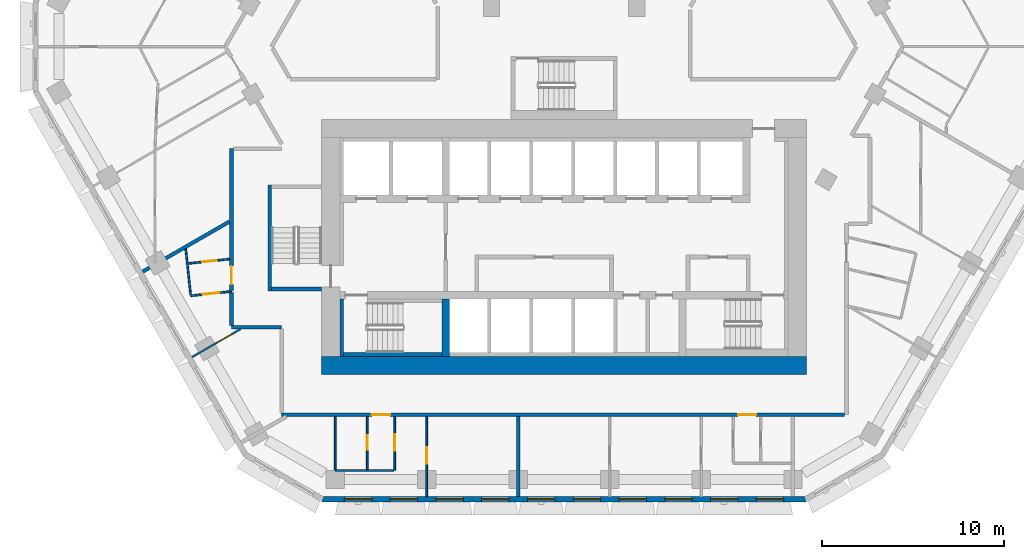
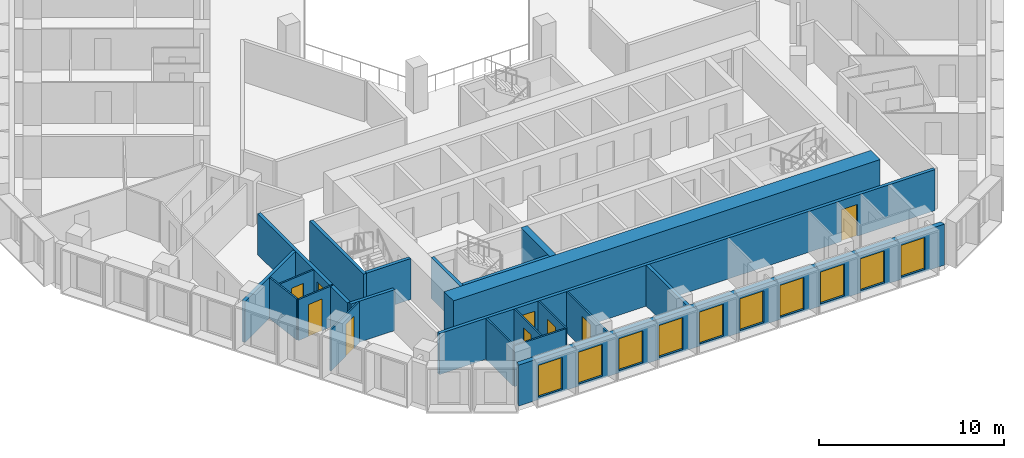
# One storey, part 3 of 18: 22 walls, 10 windows, 9 doors, 19 openings.
"""IFC4 building model written with IfcOpenShell, lengths in metres."""

from ifc_helpers import new_model, si_unit, direction, frame, frame_2d, origin, place, context, subcontext, project, spatial, polyline, rectangle, outline, extrude, material, layer, layer_set, type_object, element, fill, save


model = new_model("IFC4")

# Units and contexts
model_context = context("Model", 3, precision=1e-05, world=origin(), true_north=direction((0.0, 1.0)))
body_context = subcontext(model_context, "Body", "Model", "MODEL_VIEW")
ifc_project = project(units=[si_unit("LENGTHUNIT", "METRE"), si_unit("AREAUNIT", "SQUARE_METRE"), si_unit("VOLUMEUNIT", "CUBIC_METRE"), si_unit("PLANEANGLEUNIT", "RADIAN"), si_unit("MASSUNIT", "GRAM", prefix="KILO")], contexts=[model_context])

# Site, building, storey
site_placement = place(None, origin())
site = spatial("IfcSite", under=ifc_project, at=site_placement, CompositionType="ELEMENT")
building_placement = place(site_placement, origin())
building = spatial("IfcBuilding", under=site, at=building_placement, Name="Beryl Residences", CompositionType="ELEMENT")
storey_placement = place(building_placement, frame((0.0, 0.0, 87.0)))
storey = spatial("IfcBuildingStorey", under=building, at=storey_placement, Name="L26", CompositionType="ELEMENT", Elevation=87.0)

# Wall, openings, windows
ifc_material_1 = material(Name="Composite metal panel with mineral wool insulation")
ifc_layer_1 = layer(ifc_material_1, 0.300048828125)
ifc_layer_set_1 = layer_set([ifc_layer_1], Name="ES1 pale metal composite panel wall 300 mm")
wall_type_1 = type_object("IfcWallType", Name="ES1 pale metal composite panel wall 300 mm", PredefinedType="SOLIDWALL", material=ifc_layer_set_1)
wall_1_placement = place(storey_placement, frame((-13.279052734375, -25.85009765625, 0.0), z_axis=(0.0, 0.0, 1.0), x_axis=(1.0, 0.0, 0.0)))
wall_1 = element("IfcWall", 1, at=wall_1_placement, inside=storey, type_object=wall_type_1, Name="ES1 external wall L26 S", PredefinedType="SOLIDWALL", context=body_context, shape_type="SweptSolid", body=[
    extrude(outline(polyline([(0.0, -0.14990234375), (26.55810546875, -0.14990234375), (26.477783203125, 0.14990234375), (0.080322265625, 0.14990234375), (0.0, -0.14990234375)])), origin(), (0.0, 0.0, 1.0), 2.699951171875),
])
opening_1_placement = place(wall_1_placement, frame((1.22802734375, 0.0, 0.14990234375)))
opening_1 = element("IfcOpeningElement", 2, at=opening_1_placement, cuts=wall_1, Name="Opening W1", PredefinedType="OPENING", context=body_context, shape_type="SweptSolid", body=[
    extrude(rectangle(XDim=1.5, YDim=2.10009765625, at=frame_2d((0.75, 1.050048828125))), frame((0.0, 0.159912109375, 0.0), z_axis=(0.0, -1.0, 0.0), x_axis=(1.0, 0.0, 0.0)), (0.0, 0.0, 1.0), 0.320068359375),
])
opening_2_placement = place(wall_1_placement, frame((3.739013671875, 0.0, 0.14990234375)))
opening_2 = element("IfcOpeningElement", 3, at=opening_2_placement, cuts=wall_1, Name="Opening W1", PredefinedType="OPENING", context=body_context, shape_type="SweptSolid", body=[
    extrude(rectangle(XDim=1.5, YDim=2.10009765625, at=frame_2d((0.75, 1.050048828125))), frame((0.0, 0.159912109375, 0.0), z_axis=(0.0, -1.0, 0.0), x_axis=(1.0, 0.0, 0.0)), (0.0, 0.0, 1.0), 0.320068359375),
])
opening_3_placement = place(wall_1_placement, frame((6.2509765625, 0.0, 0.14990234375)))
opening_3 = element("IfcOpeningElement", 4, at=opening_3_placement, cuts=wall_1, Name="Opening W1", PredefinedType="OPENING", context=body_context, shape_type="SweptSolid", body=[
    extrude(rectangle(XDim=1.5, YDim=2.10009765625, at=frame_2d((0.75, 1.050048828125))), frame((0.0, 0.159912109375, 0.0), z_axis=(0.0, -1.0, 0.0), x_axis=(1.0, 0.0, 0.0)), (0.0, 0.0, 1.0), 0.320068359375),
])
opening_4_placement = place(wall_1_placement, frame((8.761962890625, 0.0, 0.14990234375)))
opening_4 = element("IfcOpeningElement", 5, at=opening_4_placement, cuts=wall_1, Name="Opening W1", PredefinedType="OPENING", context=body_context, shape_type="SweptSolid", body=[
    extrude(rectangle(XDim=1.5, YDim=2.10009765625, at=frame_2d((0.75, 1.050048828125))), frame((0.0, 0.159912109375, 0.0), z_axis=(0.0, -1.0, 0.0), x_axis=(1.0, 0.0, 0.0)), (0.0, 0.0, 1.0), 0.320068359375),
])
opening_5_placement = place(wall_1_placement, frame((11.27392578125, 0.0, 0.14990234375)))
opening_5 = element("IfcOpeningElement", 6, at=opening_5_placement, cuts=wall_1, Name="Opening W1", PredefinedType="OPENING", context=body_context, shape_type="SweptSolid", body=[
    extrude(rectangle(XDim=1.5, YDim=2.10009765625, at=frame_2d((0.75, 1.050048828125))), frame((0.0, 0.159912109375, 0.0), z_axis=(0.0, -1.0, 0.0), x_axis=(1.0, 0.0, 0.0)), (0.0, 0.0, 1.0), 0.320068359375),
])
opening_6_placement = place(wall_1_placement, frame((13.784912109375, 0.0, 0.14990234375)))
opening_6 = element("IfcOpeningElement", 7, at=opening_6_placement, cuts=wall_1, Name="Opening W1", PredefinedType="OPENING", context=body_context, shape_type="SweptSolid", body=[
    extrude(rectangle(XDim=1.5, YDim=2.10009765625, at=frame_2d((0.75, 1.050048828125))), frame((0.0, 0.159912109375, 0.0), z_axis=(0.0, -1.0, 0.0), x_axis=(1.0, 0.0, 0.0)), (0.0, 0.0, 1.0), 0.320068359375),
])
opening_7_placement = place(wall_1_placement, frame((16.297119140625, 0.0, 0.14990234375)))
opening_7 = element("IfcOpeningElement", 8, at=opening_7_placement, cuts=wall_1, Name="Opening W1", PredefinedType="OPENING", context=body_context, shape_type="SweptSolid", body=[
    extrude(rectangle(XDim=1.5, YDim=2.10009765625, at=frame_2d((0.75, 1.050048828125))), frame((0.0, 0.159912109375, 0.0), z_axis=(0.0, -1.0, 0.0), x_axis=(1.0, 0.0, 0.0)), (0.0, 0.0, 1.0), 0.320068359375),
])
opening_8_placement = place(wall_1_placement, frame((18.80810546875, 0.0, 0.14990234375)))
opening_8 = element("IfcOpeningElement", 9, at=opening_8_placement, cuts=wall_1, Name="Opening W1", PredefinedType="OPENING", context=body_context, shape_type="SweptSolid", body=[
    extrude(rectangle(XDim=1.5, YDim=2.10009765625, at=frame_2d((0.75, 1.050048828125))), frame((0.0, 0.159912109375, 0.0), z_axis=(0.0, -1.0, 0.0), x_axis=(1.0, 0.0, 0.0)), (0.0, 0.0, 1.0), 0.320068359375),
])
opening_9_placement = place(wall_1_placement, frame((21.320068359375, 0.0, 0.14990234375)))
opening_9 = element("IfcOpeningElement", 10, at=opening_9_placement, cuts=wall_1, Name="Opening W1", PredefinedType="OPENING", context=body_context, shape_type="SweptSolid", body=[
    extrude(rectangle(XDim=1.5, YDim=2.10009765625, at=frame_2d((0.75, 1.050048828125))), frame((0.0, 0.159912109375, 0.0), z_axis=(0.0, -1.0, 0.0), x_axis=(1.0, 0.0, 0.0)), (0.0, 0.0, 1.0), 0.320068359375),
])
opening_10_placement = place(wall_1_placement, frame((23.8310546875, 0.0, 0.14990234375)))
opening_10 = element("IfcOpeningElement", 11, at=opening_10_placement, cuts=wall_1, Name="Opening W1", PredefinedType="OPENING", context=body_context, shape_type="SweptSolid", body=[
    extrude(rectangle(XDim=1.5, YDim=2.10009765625, at=frame_2d((0.75, 1.050048828125))), frame((0.0, 0.159912109375, 0.0), z_axis=(0.0, -1.0, 0.0), x_axis=(1.0, 0.0, 0.0)), (0.0, 0.0, 1.0), 0.320068359375),
])
ifc_material_2 = material(Name="Aluminium and clear glass", Category="aluminium")
window_type = type_object("IfcWindowType", Name="W1 cell window 1500 x 2100 mm", PartitioningType="SINGLE_PANEL", PredefinedType="WINDOW", material=ifc_material_2)
window_1_placement = place(opening_1_placement, origin())
window_1 = element("IfcWindow", 12, at=window_1_placement, inside=storey, type_object=window_type, Name="W1 window L26 S 1", OverallHeight=2.10009765625, OverallWidth=1.5, PartitioningType="SINGLE_PANEL", PredefinedType="WINDOW", context=body_context, shape_type="SweptSolid", body=[
    extrude(rectangle(XDim=1.5, YDim=2.10009765625, at=frame_2d((0.75, 1.050048828125))), frame((0.0, 0.030029296875, 0.0), z_axis=(0.0, -1.0, 0.0), x_axis=(1.0, 0.0, 0.0)), (0.0, 0.0, 1.0), 0.06005859375),
])
fill(opening_1, window_1)
window_2_placement = place(opening_2_placement, origin())
window_2 = element("IfcWindow", 13, at=window_2_placement, inside=storey, type_object=window_type, Name="W1 window L26 S 2", OverallHeight=2.10009765625, OverallWidth=1.5, PartitioningType="SINGLE_PANEL", PredefinedType="WINDOW", context=body_context, shape_type="SweptSolid", body=[
    extrude(rectangle(XDim=1.5, YDim=2.10009765625, at=frame_2d((0.75, 1.050048828125))), frame((0.0, 0.030029296875, 0.0), z_axis=(0.0, -1.0, 0.0), x_axis=(1.0, 0.0, 0.0)), (0.0, 0.0, 1.0), 0.06005859375),
])
fill(opening_2, window_2)
window_3_placement = place(opening_3_placement, origin())
window_3 = element("IfcWindow", 14, at=window_3_placement, inside=storey, type_object=window_type, Name="W1 window L26 S 3", OverallHeight=2.10009765625, OverallWidth=1.5, PartitioningType="SINGLE_PANEL", PredefinedType="WINDOW", context=body_context, shape_type="SweptSolid", body=[
    extrude(rectangle(XDim=1.5, YDim=2.10009765625, at=frame_2d((0.75, 1.050048828125))), frame((0.0, 0.030029296875, 0.0), z_axis=(0.0, -1.0, 0.0), x_axis=(1.0, 0.0, 0.0)), (0.0, 0.0, 1.0), 0.06005859375),
])
fill(opening_3, window_3)
window_4_placement = place(opening_4_placement, origin())
window_4 = element("IfcWindow", 15, at=window_4_placement, inside=storey, type_object=window_type, Name="W1 window L26 S 4", OverallHeight=2.10009765625, OverallWidth=1.5, PartitioningType="SINGLE_PANEL", PredefinedType="WINDOW", context=body_context, shape_type="SweptSolid", body=[
    extrude(rectangle(XDim=1.5, YDim=2.10009765625, at=frame_2d((0.75, 1.050048828125))), frame((0.0, 0.030029296875, 0.0), z_axis=(0.0, -1.0, 0.0), x_axis=(1.0, 0.0, 0.0)), (0.0, 0.0, 1.0), 0.06005859375),
])
fill(opening_4, window_4)
window_5_placement = place(opening_5_placement, origin())
window_5 = element("IfcWindow", 16, at=window_5_placement, inside=storey, type_object=window_type, Name="W1 window L26 S 5", OverallHeight=2.10009765625, OverallWidth=1.5, PartitioningType="SINGLE_PANEL", PredefinedType="WINDOW", context=body_context, shape_type="SweptSolid", body=[
    extrude(rectangle(XDim=1.5, YDim=2.10009765625, at=frame_2d((0.75, 1.050048828125))), frame((0.0, 0.030029296875, 0.0), z_axis=(0.0, -1.0, 0.0), x_axis=(1.0, 0.0, 0.0)), (0.0, 0.0, 1.0), 0.06005859375),
])
fill(opening_5, window_5)
window_6_placement = place(opening_6_placement, origin())
window_6 = element("IfcWindow", 17, at=window_6_placement, inside=storey, type_object=window_type, Name="W1 window L26 S 6", OverallHeight=2.10009765625, OverallWidth=1.5, PartitioningType="SINGLE_PANEL", PredefinedType="WINDOW", context=body_context, shape_type="SweptSolid", body=[
    extrude(rectangle(XDim=1.5, YDim=2.10009765625, at=frame_2d((0.75, 1.050048828125))), frame((0.0, 0.030029296875, 0.0), z_axis=(0.0, -1.0, 0.0), x_axis=(1.0, 0.0, 0.0)), (0.0, 0.0, 1.0), 0.06005859375),
])
fill(opening_6, window_6)
window_7_placement = place(opening_7_placement, origin())
window_7 = element("IfcWindow", 18, at=window_7_placement, inside=storey, type_object=window_type, Name="W1 window L26 S 7", OverallHeight=2.10009765625, OverallWidth=1.5, PartitioningType="SINGLE_PANEL", PredefinedType="WINDOW", context=body_context, shape_type="SweptSolid", body=[
    extrude(rectangle(XDim=1.5, YDim=2.10009765625, at=frame_2d((0.75, 1.050048828125))), frame((0.0, 0.030029296875, 0.0), z_axis=(0.0, -1.0, 0.0), x_axis=(1.0, 0.0, 0.0)), (0.0, 0.0, 1.0), 0.06005859375),
])
fill(opening_7, window_7)
window_8_placement = place(opening_8_placement, origin())
window_8 = element("IfcWindow", 19, at=window_8_placement, inside=storey, type_object=window_type, Name="W1 window L26 S 8", OverallHeight=2.10009765625, OverallWidth=1.5, PartitioningType="SINGLE_PANEL", PredefinedType="WINDOW", context=body_context, shape_type="SweptSolid", body=[
    extrude(rectangle(XDim=1.5, YDim=2.10009765625, at=frame_2d((0.75, 1.050048828125))), frame((0.0, 0.030029296875, 0.0), z_axis=(0.0, -1.0, 0.0), x_axis=(1.0, 0.0, 0.0)), (0.0, 0.0, 1.0), 0.06005859375),
])
fill(opening_8, window_8)
window_9_placement = place(opening_9_placement, origin())
window_9 = element("IfcWindow", 20, at=window_9_placement, inside=storey, type_object=window_type, Name="W1 window L26 S 9", OverallHeight=2.10009765625, OverallWidth=1.5, PartitioningType="SINGLE_PANEL", PredefinedType="WINDOW", context=body_context, shape_type="SweptSolid", body=[
    extrude(rectangle(XDim=1.5, YDim=2.10009765625, at=frame_2d((0.75, 1.050048828125))), frame((0.0, 0.030029296875, 0.0), z_axis=(0.0, -1.0, 0.0), x_axis=(1.0, 0.0, 0.0)), (0.0, 0.0, 1.0), 0.06005859375),
])
fill(opening_9, window_9)
window_10_placement = place(opening_10_placement, origin())
window_10 = element("IfcWindow", 21, at=window_10_placement, inside=storey, type_object=window_type, Name="W1 window L26 S 10", OverallHeight=2.10009765625, OverallWidth=1.5, PartitioningType="SINGLE_PANEL", PredefinedType="WINDOW", context=body_context, shape_type="SweptSolid", body=[
    extrude(rectangle(XDim=1.5, YDim=2.10009765625, at=frame_2d((0.75, 1.050048828125))), frame((0.0, 0.030029296875, 0.0), z_axis=(0.0, -1.0, 0.0), x_axis=(1.0, 0.0, 0.0)), (0.0, 0.0, 1.0), 0.06005859375),
])
fill(opening_10, window_10)

# Wall
ifc_material_3 = material(Name="Gypsum board partition on steel studs", Category="steel")
ifc_layer_2 = layer(ifc_material_3, 0.10009765625)
ifc_layer_set_2 = layer_set([ifc_layer_2], Name="PT1 partition 100 mm gypsum board on steel studs")
wall_type_2 = type_object("IfcWallType", Name="PT1 partition 100 mm gypsum board on steel studs", PredefinedType="PARTITIONING", material=ifc_layer_set_2)
wall_2_placement = place(storey_placement, frame((-20.761962890625, -12.10205078125, 0.0), z_axis=(0.0, 0.0, 1.0), x_axis=(0.106118300401, -0.994353511745, 0.0)))
element("IfcWall", 22, at=wall_2_placement, inside=storey, type_object=wall_type_2, Name="Wall PT1 L26 010", PredefinedType="PARTITIONING", context=body_context, shape_type="SweptSolid", body=[
    extrude(rectangle(XDim=2.535400390625, YDim=0.10009765625, at=frame_2d((1.267578125, 0.0))), origin(), (0.0, 0.0, 1.0), 2.699951171875),
])

# Wall, opening, door
wall_3_placement = place(storey_placement, frame((-7.533935546875, -21.300048828125, 0.0), z_axis=(0.0, 0.0, 1.0), x_axis=(0.0, -1.0, 0.0)))
wall_3 = element("IfcWall", 23, at=wall_3_placement, inside=storey, type_object=wall_type_2, Name="Wall PT1 L26 014", PredefinedType="PARTITIONING", context=body_context, shape_type="SweptSolid", body=[
    extrude(rectangle(XDim=4.39990234375, YDim=0.10009765625, at=frame_2d((2.199951171875, 0.0))), origin(), (0.0, 0.0, 1.0), 2.699951171875),
])
opening_11_placement = place(wall_3_placement, frame((1.699951171875, 0.0, 0.0)))
opening_11 = element("IfcOpeningElement", 24, at=opening_11_placement, cuts=wall_3, Name="Opening D0632", PredefinedType="OPENING", context=body_context, shape_type="SweptSolid", body=[
    extrude(rectangle(XDim=0.89990234375, YDim=2.10009765625, at=frame_2d((0.449951171875, 1.050048828125))), frame((0.0, 0.06005859375, 0.0), z_axis=(0.0, -1.0, 0.0), x_axis=(1.0, 0.0, 0.0)), (0.0, 0.0, 1.0), 0.1201171875),
])
ifc_material_4 = material(Name="Timber door leaf", Category="wood")
door_type_1 = type_object("IfcDoorType", Name="D2 room door 900 x 2100 mm", OperationType="SINGLE_SWING_LEFT", PredefinedType="DOOR", material=ifc_material_4)
door_1_placement = place(opening_11_placement, origin())
door_1 = element("IfcDoor", 25, at=door_1_placement, inside=storey, type_object=door_type_1, Name="Door D0632 L26 001", OperationType="SINGLE_SWING_RIGHT", OverallHeight=2.10009765625, OverallWidth=0.89990234375, PredefinedType="DOOR", context=body_context, shape_type="SweptSolid", body=[
    extrude(rectangle(XDim=0.89990234375, YDim=2.10009765625, at=frame_2d((0.449951171875, 1.050048828125))), frame((0.0, 0.02490234375, 0.0), z_axis=(0.0, -1.0, 0.0), x_axis=(1.0, 0.0, 0.0)), (0.0, 0.0, 1.0), 0.050048828125),
])
fill(opening_11, door_1)

# Walls
wall_4_placement = place(storey_placement, frame((-12.556884765625, -21.300048828125, 0.0), z_axis=(0.0, 0.0, 1.0), x_axis=(0.0, -1.0, 0.0)))
element("IfcWall", 26, at=wall_4_placement, inside=storey, type_object=wall_type_2, Name="Wall PT1 L26 015", PredefinedType="PARTITIONING", context=body_context, shape_type="SweptSolid", body=[
    extrude(rectangle(XDim=2.908935546875, YDim=0.10009765625, at=frame_2d((1.45458984375, 0.0))), origin(), (0.0, 0.0, 1.0), 2.699951171875),
])
wall_5_placement = place(storey_placement, frame((-12.555908203125, -24.260009765625, 0.0), z_axis=(0.0, 0.0, 1.0), x_axis=(1.0, 0.0, 0.0)))
element("IfcWall", 27, at=wall_5_placement, inside=storey, type_object=wall_type_2, Name="Wall PT1 L26 035", PredefinedType="PARTITIONING", context=body_context, shape_type="SweptSolid", body=[
    extrude(rectangle(XDim=3.212890625, YDim=0.10009765625, at=frame_2d((1.6064453125, 0.0))), origin(), (0.0, 0.0, 1.0), 2.699951171875),
])

# Wall, opening, door
wall_6_placement = place(storey_placement, frame((-20.6259765625, -12.902099609375, 0.0), z_axis=(0.0, 0.0, 1.0), x_axis=(0.994385570266, 0.105817473257, 0.0)))
wall_6 = element("IfcWall", 28, at=wall_6_placement, inside=storey, type_object=wall_type_2, Name="Wall PT1 L26 038", PredefinedType="PARTITIONING", context=body_context, shape_type="SweptSolid", body=[
    extrude(rectangle(XDim=2.288818359375, YDim=0.10009765625, at=frame_2d((1.14453125, 0.0))), origin(), (0.0, 0.0, 1.0), 2.699951171875),
])
opening_12_placement = place(wall_6_placement, frame((0.77001953125, 0.0, 0.0)))
opening_12 = element("IfcOpeningElement", 29, at=opening_12_placement, cuts=wall_6, Name="Opening D0627", PredefinedType="OPENING", context=body_context, shape_type="SweptSolid", body=[
    extrude(rectangle(XDim=0.800048828125, YDim=2.10009765625, at=frame_2d((0.39990234375, 1.050048828125))), frame((0.0, 0.06005859375, 0.0), z_axis=(0.0, -1.0, 0.0), x_axis=(1.0, 0.0, 0.0)), (0.0, 0.0, 1.0), 0.1201171875),
])
ifc_material_5 = material(Name="Timber door leaf", Category="wood")
door_type_2 = type_object("IfcDoorType", Name="D3 bathroom door 800 x 2100 mm", OperationType="SINGLE_SWING_LEFT", PredefinedType="DOOR", material=ifc_material_5)
door_2_placement = place(opening_12_placement, origin())
door_2 = element("IfcDoor", 30, at=door_2_placement, inside=storey, type_object=door_type_2, Name="Door D0627 L26 001", OperationType="SINGLE_SWING_LEFT", OverallHeight=2.10009765625, OverallWidth=0.800048828125, PredefinedType="DOOR", context=body_context, shape_type="SweptSolid", body=[
    extrude(rectangle(XDim=0.800048828125, YDim=2.10009765625, at=frame_2d((0.39990234375, 1.050048828125))), frame((0.0, 0.02490234375, 0.0), z_axis=(0.0, -1.0, 0.0), x_axis=(1.0, 0.0, 0.0)), (0.0, 0.0, 1.0), 0.050048828125),
])
fill(opening_12, door_2)

wall_7_placement = place(storey_placement, frame((-20.487060546875, -14.674072265625, 0.0), z_axis=(0.0, 0.0, 1.0), x_axis=(0.994386484046, 0.105808885948, 0.0)))
wall_7 = element("IfcWall", 31, at=wall_7_placement, inside=storey, type_object=wall_type_2, Name="Wall PT1 L26 039", PredefinedType="PARTITIONING", context=body_context, shape_type="SweptSolid", body=[
    extrude(rectangle(XDim=2.249755859375, YDim=0.10009765625, at=frame_2d((1.125, 0.0))), origin(), (0.0, 0.0, 1.0), 2.699951171875),
])
opening_13_placement = place(wall_7_placement, frame((0.674072265625, 0.0, 0.0)))
opening_13 = element("IfcOpeningElement", 32, at=opening_13_placement, cuts=wall_7, Name="Opening D0626", PredefinedType="OPENING", context=body_context, shape_type="SweptSolid", body=[
    extrude(rectangle(XDim=0.89990234375, YDim=2.10009765625, at=frame_2d((0.449951171875, 1.050048828125))), frame((0.0, 0.06005859375, 0.0), z_axis=(0.0, -1.0, 0.0), x_axis=(1.0, 0.0, 0.0)), (0.0, 0.0, 1.0), 0.1201171875),
])
door_3_placement = place(opening_13_placement, origin())
door_3 = element("IfcDoor", 33, at=door_3_placement, inside=storey, type_object=door_type_1, Name="Door D0626 L26 001", OperationType="SINGLE_SWING_RIGHT", OverallHeight=2.10009765625, OverallWidth=0.89990234375, PredefinedType="DOOR", context=body_context, shape_type="SweptSolid", body=[
    extrude(rectangle(XDim=0.89990234375, YDim=2.10009765625, at=frame_2d((0.449951171875, 1.050048828125))), frame((0.0, 0.02490234375, 0.0), z_axis=(0.0, -1.0, 0.0), x_axis=(1.0, 0.0, 0.0)), (0.0, 0.0, 1.0), 0.050048828125),
])
fill(opening_13, door_3)

wall_8_placement = place(storey_placement, frame((-9.2919921875, -24.259033203125, 0.0), z_axis=(0.0, 0.0, 1.0), x_axis=(0.0, 1.0, 0.0)))
wall_8 = element("IfcWall", 34, at=wall_8_placement, inside=storey, type_object=wall_type_2, Name="Wall PT1 L26 062", PredefinedType="PARTITIONING", context=body_context, shape_type="SweptSolid", body=[
    extrude(rectangle(XDim=2.958984375, YDim=0.10009765625, at=frame_2d((1.4794921875, 0.0))), origin(), (0.0, 0.0, 1.0), 2.699951171875),
])
opening_14_placement = place(wall_8_placement, frame((1.0791015625, 0.0, 0.0)))
opening_14 = element("IfcOpeningElement", 35, at=opening_14_placement, cuts=wall_8, Name="Opening D0630", PredefinedType="OPENING", context=body_context, shape_type="SweptSolid", body=[
    extrude(rectangle(XDim=0.89990234375, YDim=2.10009765625, at=frame_2d((0.449951171875, 1.050048828125))), frame((0.0, 0.06005859375, 0.0), z_axis=(0.0, -1.0, 0.0), x_axis=(1.0, 0.0, 0.0)), (0.0, 0.0, 1.0), 0.1201171875),
])
door_4_placement = place(opening_14_placement, origin())
door_4 = element("IfcDoor", 36, at=door_4_placement, inside=storey, type_object=door_type_1, Name="Door D0630 L26 001", OperationType="SINGLE_SWING_RIGHT", OverallHeight=2.10009765625, OverallWidth=0.89990234375, PredefinedType="DOOR", context=body_context, shape_type="SweptSolid", body=[
    extrude(rectangle(XDim=0.89990234375, YDim=2.10009765625, at=frame_2d((0.449951171875, 1.050048828125))), frame((0.0, 0.02490234375, 0.0), z_axis=(0.0, -1.0, 0.0), x_axis=(1.0, 0.0, 0.0)), (0.0, 0.0, 1.0), 0.050048828125),
])
fill(opening_14, door_4)

wall_9_placement = place(storey_placement, frame((-10.799072265625, -24.2099609375, 0.0), z_axis=(0.0, 0.0, 1.0), x_axis=(0.0, 1.0, 0.0)))
wall_9 = element("IfcWall", 37, at=wall_9_placement, inside=storey, type_object=wall_type_2, Name="Wall PT1 L26 063", PredefinedType="PARTITIONING", context=body_context, shape_type="SweptSolid", body=[
    extrude(rectangle(XDim=2.909912109375, YDim=0.10009765625, at=frame_2d((1.455078125, 0.0))), origin(), (0.0, 0.0, 1.0), 2.699951171875),
])
opening_15_placement = place(wall_9_placement, frame((1.080078125, 0.0, 0.0)))
opening_15 = element("IfcOpeningElement", 38, at=opening_15_placement, cuts=wall_9, Name="Opening D0631", PredefinedType="OPENING", context=body_context, shape_type="SweptSolid", body=[
    extrude(rectangle(XDim=0.800048828125, YDim=2.10009765625, at=frame_2d((0.39990234375, 1.050048828125))), frame((0.0, 0.06005859375, 0.0), z_axis=(0.0, -1.0, 0.0), x_axis=(1.0, 0.0, 0.0)), (0.0, 0.0, 1.0), 0.1201171875),
])
door_5_placement = place(opening_15_placement, origin())
door_5 = element("IfcDoor", 39, at=door_5_placement, inside=storey, type_object=door_type_2, Name="Door D0631 L26 001", OperationType="SINGLE_SWING_LEFT", OverallHeight=2.10009765625, OverallWidth=0.800048828125, PredefinedType="DOOR", context=body_context, shape_type="SweptSolid", body=[
    extrude(rectangle(XDim=0.800048828125, YDim=2.10009765625, at=frame_2d((0.39990234375, 1.050048828125))), frame((0.0, 0.02490234375, 0.0), z_axis=(0.0, -1.0, 0.0), x_axis=(1.0, 0.0, 0.0)), (0.0, 0.0, 1.0), 0.050048828125),
])
fill(opening_15, door_5)

wall_10_placement = place(storey_placement, frame((-20.416015625, -18.0380859375, 0.0), z_axis=(0.0, 0.0, 1.0), x_axis=(0.866026989333, 0.499997253739, 0.0)))
wall_10 = element("IfcWall", 40, at=wall_10_placement, inside=storey, type_object=wall_type_2, Name="Wall PT1 L26 069", PredefinedType="PARTITIONING", context=body_context, shape_type="SweptSolid", body=[
    extrude(rectangle(XDim=3.076171875, YDim=0.10009765625, at=frame_2d((1.5380859375, 0.0))), origin(), (0.0, 0.0, 1.0), 2.699951171875),
])
opening_16_placement = place(wall_10_placement, frame((1.587890625, 0.0, 0.0)))
opening_16 = element("IfcOpeningElement", 41, at=opening_16_placement, cuts=wall_10, Name="Opening D0628", PredefinedType="OPENING", context=body_context, shape_type="SweptSolid", body=[
    extrude(rectangle(XDim=0.89990234375, YDim=2.10009765625, at=frame_2d((0.449951171875, 1.050048828125))), frame((0.0, 0.06005859375, 0.0), z_axis=(0.0, -1.0, 0.0), x_axis=(1.0, 0.0, 0.0)), (0.0, 0.0, 1.0), 0.1201171875),
])
door_6_placement = place(opening_16_placement, origin())
door_6 = element("IfcDoor", 42, at=door_6_placement, inside=storey, type_object=door_type_1, Name="Door D0628 L26 001", OperationType="SINGLE_SWING_RIGHT", OverallHeight=2.10009765625, OverallWidth=0.89990234375, PredefinedType="DOOR", context=body_context, shape_type="SweptSolid", body=[
    extrude(rectangle(XDim=0.89990234375, YDim=2.10009765625, at=frame_2d((0.449951171875, 1.050048828125))), frame((0.0, 0.02490234375, 0.0), z_axis=(0.0, -1.0, 0.0), x_axis=(1.0, 0.0, 0.0)), (0.0, 0.0, 1.0), 0.050048828125),
])
fill(opening_16, door_6)

# Walls
ifc_material_6 = material(Name="Acoustic double stud gypsum board wall")
ifc_layer_3 = layer(ifc_material_6, 0.199951171875)
ifc_layer_set_3 = layer_set([ifc_layer_3], Name="PT3 party wall 200 mm acoustic double stud")
wall_type_3 = type_object("IfcWallType", Name="PT3 party wall 200 mm acoustic double stud", PredefinedType="PARTITIONING", material=ifc_layer_set_3)
wall_11_placement = place(storey_placement, frame((-2.510986328125, -25.699951171875, 0.0), z_axis=(0.0, 0.0, 1.0), x_axis=(0.0, 1.0, 0.0)))
element("IfcWall", 43, at=wall_11_placement, inside=storey, type_object=wall_type_3, Name="Wall PT3 L26 008", PredefinedType="PARTITIONING", context=body_context, shape_type="SweptSolid", body=[
    extrude(rectangle(XDim=4.39990234375, YDim=0.199951171875, at=frame_2d((2.199951171875, 0.0))), origin(), (0.0, 0.0, 1.0), 2.699951171875),
])
wall_12_placement = place(storey_placement, frame((-23.123046875, -13.35009765625, 0.0), z_axis=(0.0, 0.0, 1.0), x_axis=(0.866013095437, 0.500021318078, 0.0)))
element("IfcWall", 44, at=wall_12_placement, inside=storey, type_object=wall_type_3, Name="Wall PT3 L26 011", PredefinedType="PARTITIONING", context=body_context, shape_type="SweptSolid", body=[
    extrude(rectangle(XDim=5.491943359375, YDim=0.199951171875, at=frame_2d((2.74609375, 0.0))), origin(), (0.0, 0.0, 1.0), 2.699951171875),
])
ifc_material_7 = material(Name="Double stud gypsum board wall")
ifc_layer_4 = layer(ifc_material_7, 0.199951171875)
ifc_layer_set_4 = layer_set([ifc_layer_4], Name="PT4 corridor wall 200 mm double stud")
wall_type_4 = type_object("IfcWallType", Name="PT4 corridor wall 200 mm double stud", PredefinedType="PARTITIONING", material=ifc_layer_set_4)
wall_13_placement = place(storey_placement, frame((-18.25, -14.486083984375, 0.0), z_axis=(0.0, 0.0, 1.0), x_axis=(0.0, -1.0, 0.0)))
element("IfcWall", 45, at=wall_13_placement, inside=storey, type_object=wall_type_4, Name="Wall PT4 L26 008", PredefinedType="PARTITIONING", context=body_context, shape_type="SweptSolid", body=[
    extrude(rectangle(XDim=1.81298828125, YDim=0.199951171875, at=frame_2d((0.906494140625, 0.0))), origin(), (0.0, 0.0, 1.0), 2.699951171875),
])
wall_14_placement = place(storey_placement, frame((-18.2490234375, -16.39990234375, 0.0), z_axis=(0.0, 0.0, 1.0), x_axis=(1.0, 0.0, 0.0)))
element("IfcWall", 46, at=wall_14_placement, inside=storey, type_object=wall_type_4, Name="Wall PT4 L26 015", PredefinedType="PARTITIONING", context=body_context, shape_type="SweptSolid", body=[
    extrude(rectangle(XDim=2.748046875, YDim=0.199951171875, at=frame_2d((1.3740234375, 0.0))), origin(), (0.0, 0.0, 1.0), 2.699951171875),
])

# Wall, openings, doors
wall_15_placement = place(storey_placement, frame((-15.4990234375, -21.199951171875, 0.0), z_axis=(0.0, 0.0, 1.0), x_axis=(1.0, 0.0, 0.0)))
wall_15 = element("IfcWall", 47, at=wall_15_placement, inside=storey, type_object=wall_type_4, Name="Wall PT4 L26 016", PredefinedType="PARTITIONING", context=body_context, shape_type="SweptSolid", body=[
    extrude(rectangle(XDim=30.89794921875, YDim=0.199951171875, at=frame_2d((15.448974609375, 0.0))), origin(), (0.0, 0.0, 1.0), 2.699951171875),
])
opening_17_placement = place(wall_15_placement, frame((4.9541015625, 0.0, 0.0)))
opening_17 = element("IfcOpeningElement", 48, at=opening_17_placement, cuts=wall_15, Name="Opening D0629", PredefinedType="OPENING", context=body_context, shape_type="SweptSolid", body=[
    extrude(rectangle(XDim=1.0, YDim=2.10009765625, at=frame_2d((0.5, 1.050048828125))), frame((0.0, 0.10986328125, 0.0), z_axis=(0.0, -1.0, 0.0), x_axis=(1.0, 0.0, 0.0)), (0.0, 0.0, 1.0), 0.219970703125),
])
opening_18_placement = place(wall_15_placement, frame((25.0458984375, 0.0, 0.0)))
opening_18 = element("IfcOpeningElement", 49, at=opening_18_placement, cuts=wall_15, Name="Opening D0633", PredefinedType="OPENING", context=body_context, shape_type="SweptSolid", body=[
    extrude(rectangle(XDim=1.0, YDim=2.10009765625, at=frame_2d((0.5, 1.050048828125))), frame((0.0, 0.10986328125, 0.0), z_axis=(0.0, -1.0, 0.0), x_axis=(1.0, 0.0, 0.0)), (0.0, 0.0, 1.0), 0.219970703125),
])
ifc_material_8 = material(Name="Timber door leaf", Category="wood")
door_type_3 = type_object("IfcDoorType", Name="D1 flat entrance door 1000 x 2100 mm", OperationType="SINGLE_SWING_LEFT", PredefinedType="DOOR", material=ifc_material_8)
door_7_placement = place(opening_17_placement, origin())
door_7 = element("IfcDoor", 50, at=door_7_placement, inside=storey, type_object=door_type_3, Name="Door D0629 L26 001", OperationType="SINGLE_SWING_LEFT", OverallHeight=2.10009765625, OverallWidth=1.0, PredefinedType="DOOR", context=body_context, shape_type="SweptSolid", body=[
    extrude(rectangle(XDim=1.0, YDim=2.10009765625, at=frame_2d((0.5, 1.050048828125))), frame((0.0, 0.02490234375, 0.0), z_axis=(0.0, -1.0, 0.0), x_axis=(1.0, 0.0, 0.0)), (0.0, 0.0, 1.0), 0.050048828125),
])
fill(opening_17, door_7)
door_8_placement = place(opening_18_placement, origin())
door_8 = element("IfcDoor", 51, at=door_8_placement, inside=storey, type_object=door_type_3, Name="Door D0633 L26 001", OperationType="SINGLE_SWING_LEFT", OverallHeight=2.10009765625, OverallWidth=1.0, PredefinedType="DOOR", context=body_context, shape_type="SweptSolid", body=[
    extrude(rectangle(XDim=1.0, YDim=2.10009765625, at=frame_2d((0.5, 1.050048828125))), frame((0.0, 0.02490234375, 0.0), z_axis=(0.0, -1.0, 0.0), x_axis=(1.0, 0.0, 0.0)), (0.0, 0.0, 1.0), 0.050048828125),
])
fill(opening_18, door_8)

# Wall, opening, door
wall_16_placement = place(storey_placement, frame((-18.25, -14.385986328125, 0.0), z_axis=(0.0, 0.0, 1.0), x_axis=(0.0, 1.0, 0.0)))
wall_16 = element("IfcWall", 52, at=wall_16_placement, inside=storey, type_object=wall_type_4, Name="Wall PT4 L26 033", PredefinedType="PARTITIONING", context=body_context, shape_type="SweptSolid", body=[
    extrude(rectangle(XDim=7.785888671875, YDim=0.199951171875, at=frame_2d((3.89306640625, 0.0))), origin(), (0.0, 0.0, 1.0), 2.699951171875),
])
opening_19_placement = place(wall_16_placement, frame((0.340087890625, 0.0, 0.0)))
opening_19 = element("IfcOpeningElement", 53, at=opening_19_placement, cuts=wall_16, Name="Opening D0625", PredefinedType="OPENING", context=body_context, shape_type="SweptSolid", body=[
    extrude(rectangle(XDim=1.0, YDim=2.10009765625, at=frame_2d((0.5, 1.050048828125))), frame((0.0, 0.10986328125, 0.0), z_axis=(0.0, -1.0, 0.0), x_axis=(1.0, 0.0, 0.0)), (0.0, 0.0, 1.0), 0.219970703125),
])
door_9_placement = place(opening_19_placement, origin())
door_9 = element("IfcDoor", 54, at=door_9_placement, inside=storey, type_object=door_type_3, Name="Door D0625 L26 001", OperationType="SINGLE_SWING_LEFT", OverallHeight=2.10009765625, OverallWidth=1.0, PredefinedType="DOOR", context=body_context, shape_type="SweptSolid", body=[
    extrude(rectangle(XDim=1.0, YDim=2.10009765625, at=frame_2d((0.5, 1.050048828125))), frame((0.0, 0.02490234375, 0.0), z_axis=(0.0, -1.0, 0.0), x_axis=(1.0, 0.0, 0.0)), (0.0, 0.0, 1.0), 0.050048828125),
])
fill(opening_19, door_9)

# Walls
ifc_material_9 = material(Name="Concrete C40/50", Category="concrete")
ifc_layer_5 = layer(ifc_material_9, 0.199951171875)
ifc_layer_set_5 = layer_set([ifc_layer_5], Name="PT5 stair enclosure wall 200 mm reinforced concrete C40/50")
wall_type_5 = type_object("IfcWallType", Name="PT5 stair enclosure wall 200 mm reinforced concrete C40/50", PredefinedType="SOLIDWALL", material=ifc_layer_set_5)
wall_17_placement = place(storey_placement, frame((-16.14990234375, -14.39990234375, 0.0), z_axis=(0.0, 0.0, 1.0), x_axis=(0.0, 1.0, 0.0)))
element("IfcWall", 55, at=wall_17_placement, inside=storey, type_object=wall_type_5, Name="Stair wall 01", PredefinedType="SOLIDWALL", context=body_context, shape_type="SweptSolid", body=[
    extrude(rectangle(XDim=5.7998046875, YDim=0.199951171875, at=frame_2d((2.89990234375, 0.0))), origin(), (0.0, 0.0, 1.0), 2.699951171875),
])
wall_18_placement = place(storey_placement, frame((-16.050048828125, -14.300048828125, 0.0), z_axis=(0.0, 0.0, 1.0), x_axis=(1.0, 0.0, 0.0)))
element("IfcWall", 56, at=wall_18_placement, inside=storey, type_object=wall_type_5, Name="Stair wall 02", PredefinedType="SOLIDWALL", context=body_context, shape_type="SweptSolid", body=[
    extrude(rectangle(XDim=2.75, YDim=0.199951171875, at=frame_2d((1.375, 0.0))), origin(), (0.0, 0.0, 1.0), 2.699951171875),
])
wall_19_placement = place(storey_placement, frame((-12.199951171875, -18.0, 0.0), z_axis=(0.0, 0.0, 1.0), x_axis=(0.0, 1.0, 0.0)))
element("IfcWall", 57, at=wall_19_placement, inside=storey, type_object=wall_type_5, Name="Stair wall 04", PredefinedType="SOLIDWALL", context=body_context, shape_type="SweptSolid", body=[
    extrude(rectangle(XDim=3.14990234375, YDim=0.199951171875, at=frame_2d((1.574951171875, 0.0))), origin(), (0.0, 0.0, 1.0), 2.699951171875),
])
wall_20_placement = place(storey_placement, frame((-12.10009765625, -17.89990234375, 0.0), z_axis=(0.0, 0.0, 1.0), x_axis=(1.0, 0.0, 0.0)))
element("IfcWall", 58, at=wall_20_placement, inside=storey, type_object=wall_type_5, Name="Stair wall 07", PredefinedType="SOLIDWALL", context=body_context, shape_type="SweptSolid", body=[
    extrude(rectangle(XDim=5.400146484375, YDim=0.199951171875, at=frame_2d((2.7001953125, 0.0))), origin(), (0.0, 0.0, 1.0), 2.699951171875),
])
ifc_material_10 = material(Name="Concrete C70/85", Category="concrete")
ifc_layer_6 = layer(ifc_material_10, 1.0)
ifc_layer_set_6 = layer_set([ifc_layer_6], Name="SW2 core outer wall 1000 mm C70/85")
wall_type_6 = type_object("IfcWallType", Name="SW2 core outer wall 1000 mm C70/85", PredefinedType="SHEAR", material=ifc_layer_set_6)
wall_21_placement = place(storey_placement, frame((-13.300048828125, -18.5, 0.0), z_axis=(0.0, 0.0, 1.0), x_axis=(1.0, 0.0, 0.0)))
element("IfcWall", 59, at=wall_21_placement, inside=storey, type_object=wall_type_6, Name="Core wall S L26", PredefinedType="SHEAR", context=body_context, shape_type="SweptSolid", body=[
    extrude(rectangle(XDim=26.60009765625, YDim=1.0, at=frame_2d((13.300048828125, 0.0))), origin(), (0.0, 0.0, 1.0), 2.699951171875),
])
ifc_material_11 = material(Name="Concrete C70/85", Category="concrete")
ifc_layer_7 = layer(ifc_material_11, 0.39990234375)
ifc_layer_set_7 = layer_set([ifc_layer_7], Name="SW7 core internal wall 400 mm C70/85")
wall_type_7 = type_object("IfcWallType", Name="SW7 core internal wall 400 mm C70/85", PredefinedType="SHEAR", material=ifc_layer_set_7)
wall_22_placement = place(storey_placement, frame((-6.5, -18.0, 0.0), z_axis=(0.0, 0.0, 1.0), x_axis=(0.0, 1.0, 0.0)))
element("IfcWall", 60, at=wall_22_placement, inside=storey, type_object=wall_type_7, Name="Core wall XS1 L26", PredefinedType="SHEAR", context=body_context, shape_type="SweptSolid", body=[
    extrude(rectangle(XDim=3.14990234375, YDim=0.39990234375, at=frame_2d((1.574951171875, 0.0))), origin(), (0.0, 0.0, 1.0), 2.699951171875),
])

save(model, "model.ifc")
